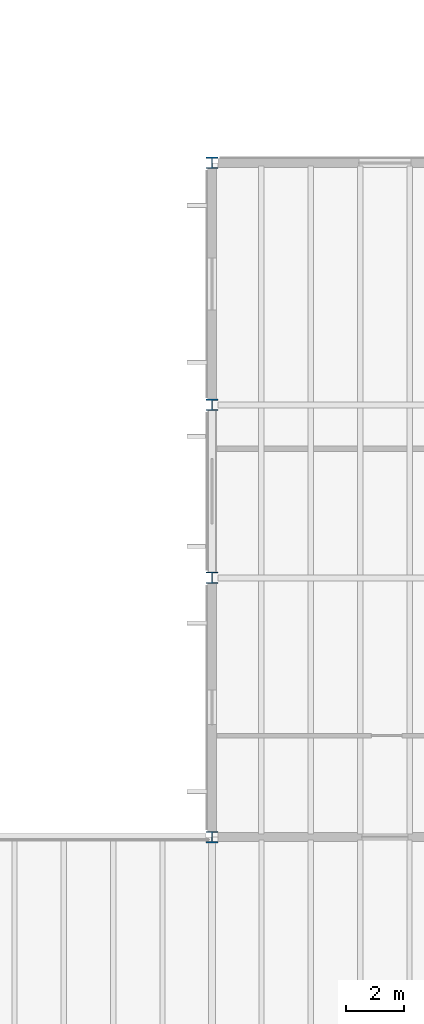
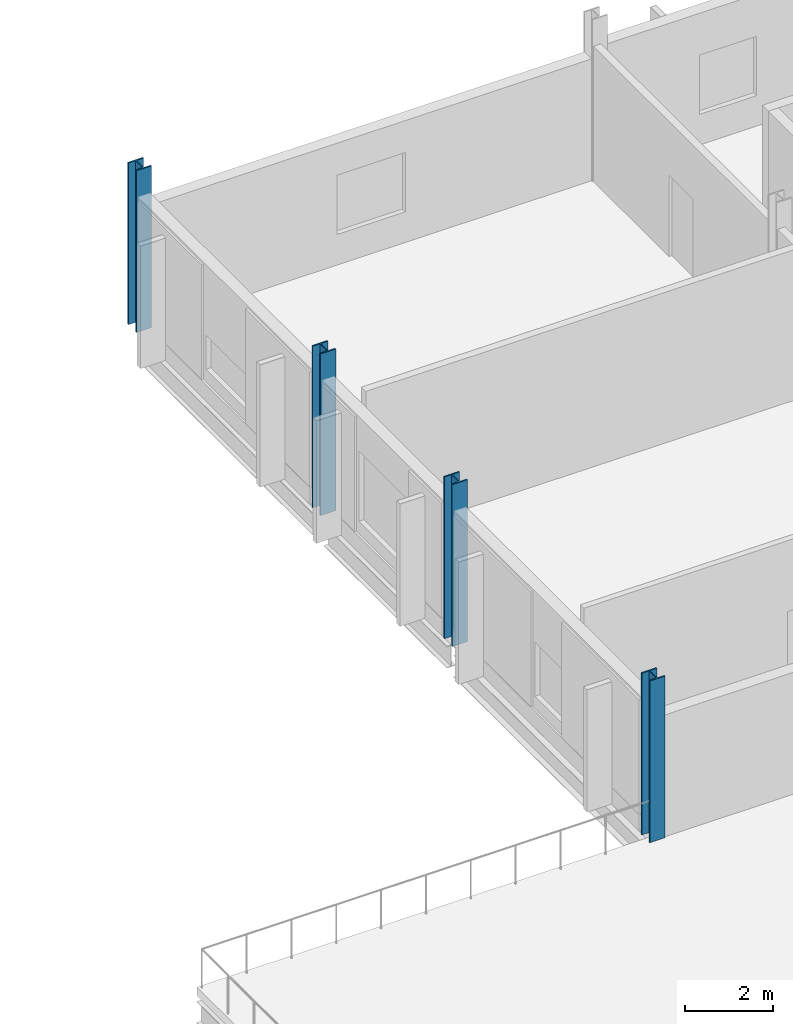
# One storey, part 6 of 78: 4 columns.
"""IFC4 building model written with IfcOpenShell, lengths in metres."""

from ifc_helpers import new_model, si_unit, direction, frame, origin, origin_2d, place, context, subcontext, project, spatial, i_section, extrude, material, material_profile, profile_set, type_object, element, save


model = new_model("IFC4")

# Units and contexts
model_context = context("Model", 3, precision=1e-05, world=origin(), true_north=direction((0.0, 1.0)))
body_context = subcontext(model_context, "Body", "Model", "MODEL_VIEW")
ifc_project = project(units=[si_unit("LENGTHUNIT", "METRE"), si_unit("AREAUNIT", "SQUARE_METRE"), si_unit("VOLUMEUNIT", "CUBIC_METRE"), si_unit("PLANEANGLEUNIT", "RADIAN"), si_unit("MASSUNIT", "GRAM", prefix="KILO")], contexts=[model_context])

# Site, building, storey
site_placement = place(None, origin())
site = spatial("IfcSite", under=ifc_project, at=site_placement, CompositionType="ELEMENT")
building_placement = place(site_placement, origin())
building = spatial("IfcBuilding", under=site, at=building_placement, Name="Kelmvaro Bay Concert Hall", CompositionType="ELEMENT")
storey_placement = place(building_placement, frame((0.0, 0.0, 9.300048828125)))
storey = spatial("IfcBuildingStorey", under=building, at=storey_placement, Name="L02", CompositionType="ELEMENT", Elevation=9.300048828125)

# Columns
ifc_material_1 = material(Name="Steel ASTM A992 Grade 50", Category="steel")
ifc_material_profile_1 = material_profile(ifc_material_1, i_section(OverallWidth=0.40087890625, OverallDepth=0.39892578125, WebThickness=0.02490234375, FlangeThickness=0.03955078125, at=origin_2d()), Name="W14X211")
ifc_profile_set_1 = profile_set([ifc_material_profile_1], Name="Steel ASTM A992 Grade 50")
column_type_1 = type_object("IfcColumnType", Name="Bridge Anchor Column W14x211", PredefinedType="COLUMN", material=ifc_profile_set_1)
for number, where, z_axis, x_axis, name in (
    (1, (120.0, 73.800048828125, 0.0), (0.0, 0.0, 1.0), (1.0, 0.0, 0.0), "L02 Column V2B-120-738"),
    (2, (120.0, 97.199951171875, 0.0), (0.0, 0.0, 1.0), (1.0, 0.0, 0.0), "L02 Column V2B-120-972"),
):
    element("IfcColumn", number, at=place(storey_placement, frame(where, z_axis=z_axis, x_axis=x_axis)), inside=storey, type_object=column_type_1, Name=name, PredefinedType="COLUMN", context=body_context, shape_type="SweptSolid", body=[
        extrude(i_section(OverallWidth=0.40087890625, OverallDepth=0.39892578125, WebThickness=0.02490234375, FlangeThickness=0.03955078125, at=origin_2d()), origin(), (0.0, 0.0, 1.0), 4.5),
    ])
ifc_material_2 = material(Name="Steel ASTM A992 Grade 50", Category="steel")
ifc_material_profile_2 = material_profile(ifc_material_2, i_section(OverallWidth=0.40087890625, OverallDepth=0.39404296875, WebThickness=0.022705078125, FlangeThickness=0.03662109375, at=origin_2d()), Name="W14X193")
ifc_profile_set_2 = profile_set([ifc_material_profile_2], Name="Steel ASTM A992 Grade 50")
column_type_2 = type_object("IfcColumnType", Name="Bridge Support Column W14x193", PredefinedType="COLUMN", material=ifc_profile_set_2)
for number, where, z_axis, x_axis, name in (
    (3, (120.0, 82.800048828125, 0.0), (0.0, 0.0, 1.0), (1.0, 0.0, 0.0), "L02 Column V2B-120-828"),
    (4, (120.0, 88.800048828125, 0.0), (0.0, 0.0, 1.0), (1.0, 0.0, 0.0), "L02 Column V2B-120-888"),
):
    element("IfcColumn", number, at=place(storey_placement, frame(where, z_axis=z_axis, x_axis=x_axis)), inside=storey, type_object=column_type_2, Name=name, PredefinedType="COLUMN", context=body_context, shape_type="SweptSolid", body=[
        extrude(i_section(OverallWidth=0.40087890625, OverallDepth=0.39404296875, WebThickness=0.022705078125, FlangeThickness=0.03662109375, at=origin_2d()), origin(), (0.0, 0.0, 1.0), 4.5),
    ])

save(model, "model.ifc")
